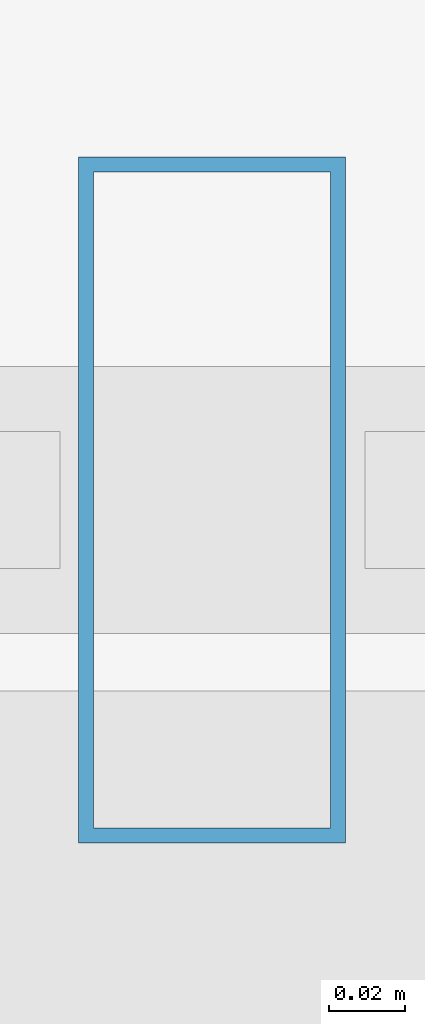
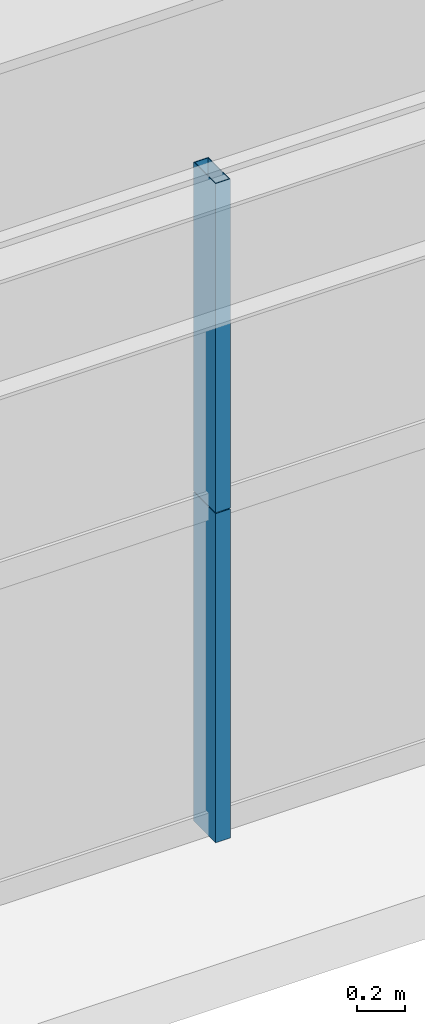
# One storey, part 5 of 44: 2 members, 1 element without a shape of its own.
"""IFC4 building model written with IfcOpenShell, lengths in metres."""

from ifc_helpers import new_model, si_unit, direction, frame, origin, origin_2d, place, context, subcontext, project, spatial, hollow_rectangle, extrude, source, transform, mapped, material, layer, layer_set, material_profile, profile_set, type_object, element, aggregate, save


model = new_model("IFC4")

# Units and contexts
model_context = context("Model", 3, precision=1e-05, world=origin(), true_north=direction((0.0, 1.0)))
body_context = subcontext(model_context, "Body", "Model", "MODEL_VIEW")
ifc_project = project(units=[si_unit("LENGTHUNIT", "METRE"), si_unit("AREAUNIT", "SQUARE_METRE"), si_unit("VOLUMEUNIT", "CUBIC_METRE"), si_unit("PLANEANGLEUNIT", "RADIAN"), si_unit("MASSUNIT", "GRAM", prefix="KILO"), si_unit("THERMODYNAMICTEMPERATUREUNIT", "KELVIN"), si_unit("POWERUNIT", "WATT")], contexts=[model_context])

# Site, building, storey
site_placement = place(None, origin())
site = spatial("IfcSite", under=ifc_project, at=site_placement, CompositionType="ELEMENT")
building_placement = place(site_placement, origin())
building = spatial("IfcBuilding", under=site, at=building_placement, Name="Yuzanri Waterfront Tower", CompositionType="ELEMENT")
storey_placement = place(building_placement, frame((0.0, 0.0, 82.0)))
storey = spatial("IfcBuildingStorey", under=building, at=storey_placement, Name="L21", CompositionType="ELEMENT", Elevation=82.0)

# Curtain wall, members
ifc_material_1 = material(Name="Anodized Architectural Bronze", Category="metal")
ifc_layer = layer(ifc_material_1, 0.159912109375)
ifc_layer_set = layer_set([ifc_layer], Name="Anodized Architectural Bronze")
curtain_wall_type = type_object("IfcCurtainWallType", Name="Anodized Bronze Hotel Lower-Tier Recessed Unitized Curtain Wall 8100", PredefinedType="NOTDEFINED", material=ifc_layer_set)
curtain_wall_placement = place(storey_placement, origin())
curtain_wall = element("IfcCurtainWall", 1, at=curtain_wall_placement, inside=storey, type_object=curtain_wall_type, Name="L21 Curtain Wall CW-L21-SL", PredefinedType="NOTDEFINED")
ifc_material_2 = material(Name="Anodized Architectural Bronze", Category="metal")
ifc_material_profile = material_profile(ifc_material_2, hollow_rectangle(XDim=0.070068359375, YDim=0.179931640625, WallThickness=0.00390625, at=origin_2d()), Name="CWM 70x180")
ifc_profile_set = profile_set([ifc_material_profile], Name="Anodized Architectural Bronze")
member_type = type_object("IfcMemberType", Name="Anodized Bronze Standard Curtain-Wall Mullion 70x180", PredefinedType="MULLION", material=ifc_profile_set)
shared_shape = source(origin(), body_context, "Body", "SweptSolid", [
    extrude(hollow_rectangle(XDim=0.070068359375, YDim=0.179931640625, WallThickness=0.00390625, at=origin_2d()), origin(), (0.0, 0.0, 1.0), 1.657958984375),
])
member_1_placement = place(storey_placement, frame((27.89990234375, 0.85009765625, 0.0), z_axis=(0.0, 0.0, 1.0), x_axis=(1.0, 0.0, 0.0)))
member_1 = element("IfcMember", 2, at=member_1_placement, type_object=member_type, Name="CW-L21-SL Lower Mullion 01", PredefinedType="MULLION", context=body_context, shape_type="MappedRepresentation", body=[
    mapped(shared_shape, transform((0.0, 0.0, 0.0), scale=1.0)),
])
member_2_placement = place(storey_placement, frame((27.89990234375, 0.85009765625, 1.662109375), z_axis=(0.0, 0.0, 1.0), x_axis=(1.0, 0.0, 0.0)))
member_2 = element("IfcMember", 3, at=member_2_placement, type_object=member_type, Name="CW-L21-SL Upper Mullion 01", PredefinedType="MULLION", context=body_context, shape_type="MappedRepresentation", body=[
    mapped(shared_shape, transform((0.0, 0.0, 0.0), scale=1.0)),
])
aggregate(curtain_wall, [member_1, member_2])

save(model, "model.ifc")
